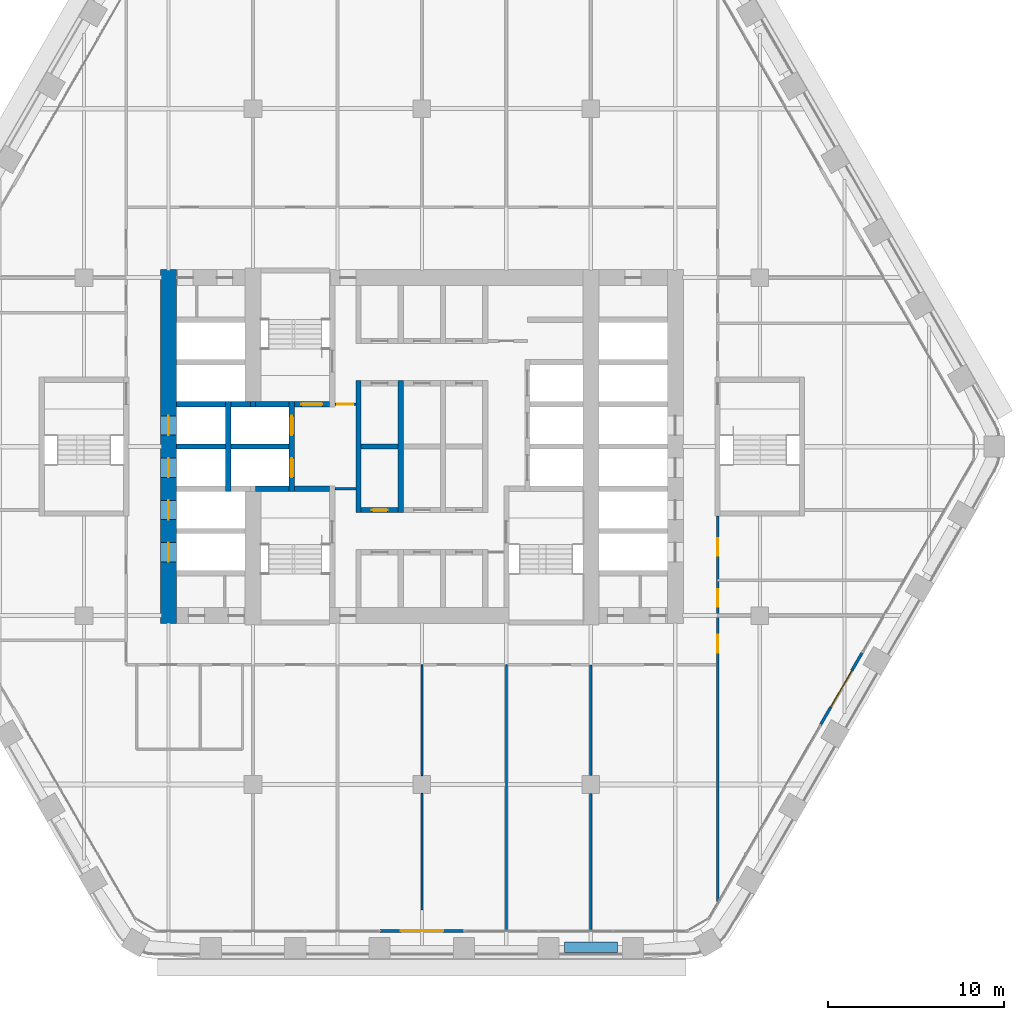
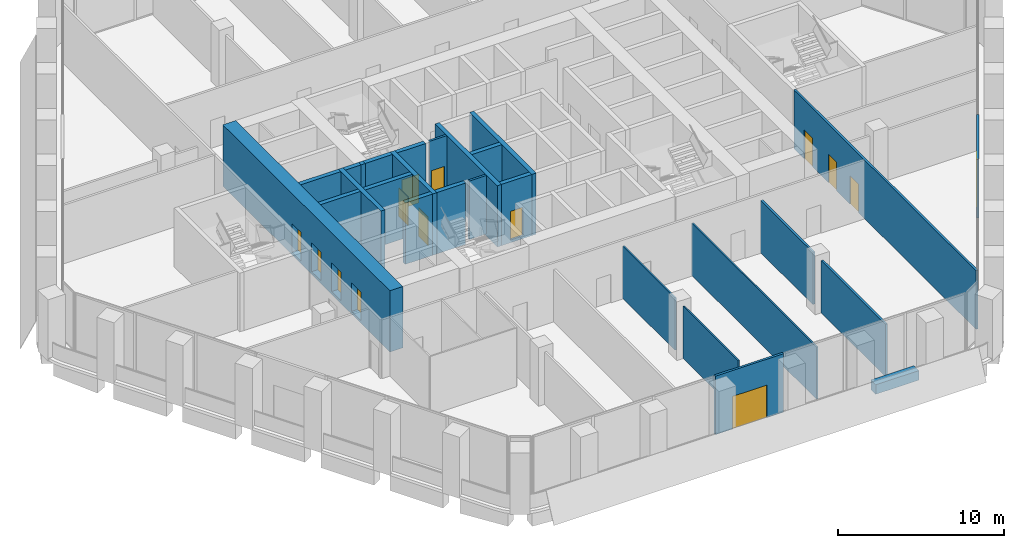
# One storey, part 13 of 22: 27 walls, 14 doors, 14 openings.
"""IFC4 building model written with IfcOpenShell, lengths in metres."""

from ifc_helpers import new_model, si_unit, direction, frame, frame_2d, origin, place, context, subcontext, project, spatial, rectangle, extrude, material, layer, layer_set, type_object, element, fill, save


model = new_model("IFC4")

# Units and contexts
model_context = context("Model", 3, precision=1e-05, world=origin(), true_north=direction((0.0, 1.0)))
body_context = subcontext(model_context, "Body", "Model", "MODEL_VIEW")
ifc_project = project(units=[si_unit("LENGTHUNIT", "METRE"), si_unit("AREAUNIT", "SQUARE_METRE"), si_unit("VOLUMEUNIT", "CUBIC_METRE"), si_unit("PLANEANGLEUNIT", "RADIAN"), si_unit("MASSUNIT", "GRAM", prefix="KILO")], contexts=[model_context])

# Site, building, storey
site_placement = place(None, origin())
site = spatial("IfcSite", under=ifc_project, at=site_placement, CompositionType="ELEMENT")
building_placement = place(site_placement, origin())
building = spatial("IfcBuilding", under=site, at=building_placement, Name="Kolab Exchange Tower", CompositionType="ELEMENT")
storey_placement = place(building_placement, frame((0.0, 0.0, 113.89990234375)))
storey = spatial("IfcBuildingStorey", under=building, at=storey_placement, Name="L22", CompositionType="ELEMENT", Elevation=113.89990234375)

# Wall, openings, doors
ifc_material_1 = material(Name="Concrete C70/85", Category="concrete")
ifc_layer_1 = layer(ifc_material_1, 0.89990234375)
ifc_layer_set_1 = layer_set([ifc_layer_1], Name="Concrete C70/85")
wall_type_1 = type_object("IfcWallType", Name="CORE WALL 900 C70/85", PredefinedType="SHEAR", material=ifc_layer_set_1)
wall_1_placement = place(storey_placement, frame((-14.39990234375, -10.050048828125, -0.199951171875), z_axis=(0.0, 0.0, 1.0), x_axis=(0.0, 1.0, 0.0)))
wall_1 = element("IfcWall", 1, at=wall_1_placement, inside=storey, type_object=wall_type_1, Name="wall/L22/core/057", PredefinedType="SHEAR", context=body_context, shape_type="SweptSolid", body=[
    extrude(rectangle(XDim=20.10009765625, YDim=0.89990234375, at=frame_2d((10.050048828125, 0.0))), origin(), (0.0, 0.0, 1.0), 4.5),
])
opening_1_placement = place(wall_1_placement, frame((3.5, 0.0, 0.199951171875)))
opening_1 = element("IfcOpeningElement", 2, at=opening_1_placement, cuts=wall_1, Name="Opening LD1-073", PredefinedType="OPENING", context=body_context, shape_type="SweptSolid", body=[
    extrude(rectangle(XDim=1.10009765625, YDim=2.10009765625, at=frame_2d((0.550048828125, 1.050048828125))), frame((0.0, 0.4599609375, 0.0), z_axis=(0.0, -1.0, 0.0), x_axis=(1.0, 0.0, 0.0)), (0.0, 0.0, 1.0), 0.919921875),
])
opening_2_placement = place(wall_1_placement, frame((5.89990234375, 0.0, 0.199951171875)))
opening_2 = element("IfcOpeningElement", 3, at=opening_2_placement, cuts=wall_1, Name="Opening LD1-074", PredefinedType="OPENING", context=body_context, shape_type="SweptSolid", body=[
    extrude(rectangle(XDim=1.10009765625, YDim=2.10009765625, at=frame_2d((0.550048828125, 1.050048828125))), frame((0.0, 0.4599609375, 0.0), z_axis=(0.0, -1.0, 0.0), x_axis=(1.0, 0.0, 0.0)), (0.0, 0.0, 1.0), 0.919921875),
])
opening_3_placement = place(wall_1_placement, frame((8.300048828125, 0.0, 0.199951171875)))
opening_3 = element("IfcOpeningElement", 4, at=opening_3_placement, cuts=wall_1, Name="Opening LD1-075", PredefinedType="OPENING", context=body_context, shape_type="SweptSolid", body=[
    extrude(rectangle(XDim=1.10009765625, YDim=2.10009765625, at=frame_2d((0.550048828125, 1.050048828125))), frame((0.0, 0.4599609375, 0.0), z_axis=(0.0, -1.0, 0.0), x_axis=(1.0, 0.0, 0.0)), (0.0, 0.0, 1.0), 0.919921875),
])
opening_4_placement = place(wall_1_placement, frame((10.699951171875, 0.0, 0.199951171875)))
opening_4 = element("IfcOpeningElement", 5, at=opening_4_placement, cuts=wall_1, Name="Opening LD1-076", PredefinedType="OPENING", context=body_context, shape_type="SweptSolid", body=[
    extrude(rectangle(XDim=1.10009765625, YDim=2.10009765625, at=frame_2d((0.550048828125, 1.050048828125))), frame((0.0, 0.4599609375, 0.0), z_axis=(0.0, -1.0, 0.0), x_axis=(1.0, 0.0, 0.0)), (0.0, 0.0, 1.0), 0.919921875),
])
ifc_material_2 = material(Name="Stainless steel 316", Category="steel")
door_type_1 = type_object("IfcDoorType", Name="LANDING DOOR 1100 PASSENGER", OperationType="DOUBLE_DOOR_SLIDING", PredefinedType="DOOR", material=ifc_material_2)
door_1_placement = place(opening_1_placement, origin())
door_1 = element("IfcDoor", 6, at=door_1_placement, inside=storey, type_object=door_type_1, Name="Landing door LR5", OperationType="DOUBLE_DOOR_SLIDING", OverallHeight=2.10009765625, OverallWidth=1.10009765625, PredefinedType="DOOR", context=body_context, shape_type="SweptSolid", body=[
    extrude(rectangle(XDim=1.10009765625, YDim=2.10009765625, at=frame_2d((0.550048828125, 1.050048828125))), frame((0.0, 0.02490234375, 0.0), z_axis=(0.0, -1.0, 0.0), x_axis=(1.0, 0.0, 0.0)), (0.0, 0.0, 1.0), 0.050048828125),
])
fill(opening_1, door_1)
door_2_placement = place(opening_2_placement, origin())
door_2 = element("IfcDoor", 7, at=door_2_placement, inside=storey, type_object=door_type_1, Name="Landing door LR6", OperationType="DOUBLE_DOOR_SLIDING", OverallHeight=2.10009765625, OverallWidth=1.10009765625, PredefinedType="DOOR", context=body_context, shape_type="SweptSolid", body=[
    extrude(rectangle(XDim=1.10009765625, YDim=2.10009765625, at=frame_2d((0.550048828125, 1.050048828125))), frame((0.0, 0.02490234375, 0.0), z_axis=(0.0, -1.0, 0.0), x_axis=(1.0, 0.0, 0.0)), (0.0, 0.0, 1.0), 0.050048828125),
])
fill(opening_2, door_2)
door_3_placement = place(opening_3_placement, origin())
door_3 = element("IfcDoor", 8, at=door_3_placement, inside=storey, type_object=door_type_1, Name="Landing door LR7", OperationType="DOUBLE_DOOR_SLIDING", OverallHeight=2.10009765625, OverallWidth=1.10009765625, PredefinedType="DOOR", context=body_context, shape_type="SweptSolid", body=[
    extrude(rectangle(XDim=1.10009765625, YDim=2.10009765625, at=frame_2d((0.550048828125, 1.050048828125))), frame((0.0, 0.02490234375, 0.0), z_axis=(0.0, -1.0, 0.0), x_axis=(1.0, 0.0, 0.0)), (0.0, 0.0, 1.0), 0.050048828125),
])
fill(opening_3, door_3)
door_4_placement = place(opening_4_placement, origin())
door_4 = element("IfcDoor", 9, at=door_4_placement, inside=storey, type_object=door_type_1, Name="Landing door LR8", OperationType="DOUBLE_DOOR_SLIDING", OverallHeight=2.10009765625, OverallWidth=1.10009765625, PredefinedType="DOOR", context=body_context, shape_type="SweptSolid", body=[
    extrude(rectangle(XDim=1.10009765625, YDim=2.10009765625, at=frame_2d((0.550048828125, 1.050048828125))), frame((0.0, 0.02490234375, 0.0), z_axis=(0.0, -1.0, 0.0), x_axis=(1.0, 0.0, 0.0)), (0.0, 0.0, 1.0), 0.050048828125),
])
fill(opening_4, door_4)

# Wall, opening, door
ifc_material_3 = material(Name="Aluminium EN AW-6063 T6", Category="aluminium")
ifc_layer_2 = layer(ifc_material_3, 0.159912109375)
ifc_layer_set_2 = layer_set([ifc_layer_2], Name="Aluminium EN AW-6063 T6")
wall_type_2 = type_object("IfcWallType", Name="DOOR SURROUND WALL 160 ALUMINIUM FRAMED", PredefinedType="PARTITIONING", material=ifc_layer_set_2)
wall_2_placement = place(storey_placement, frame((25.0166015625, -11.706787109375, 0.0), z_axis=(0.0, 0.0, 1.0), x_axis=(-0.499978080042, -0.866038058908, 0.0)))
wall_2 = element("IfcWall", 10, at=wall_2_placement, inside=storey, type_object=wall_type_2, Name="Door surround wall", PredefinedType="PARTITIONING", context=body_context, shape_type="SweptSolid", body=[
    extrude(rectangle(XDim=4.739990234375, YDim=0.159912109375, at=frame_2d((2.3701171875, 0.0))), origin(), (0.0, 0.0, 1.0), 4.300048828125),
])
opening_5_placement = place(wall_2_placement, frame((1.169921875, 0.0, 0.0)))
opening_5 = element("IfcOpeningElement", 11, at=opening_5_placement, cuts=wall_2, Name="Opening GD1-036", PredefinedType="OPENING", context=body_context, shape_type="SweptSolid", body=[
    extrude(rectangle(XDim=2.39990234375, YDim=2.39990234375, at=frame_2d((1.199951171875, 1.199951171875))), frame((0.0, 0.08984375, 0.0), z_axis=(0.0, -1.0, 0.0), x_axis=(1.0, 0.0, 0.0)), (0.0, 0.0, 1.0), 0.179931640625),
])
door_type_2 = type_object("IfcDoorType", Name="LOGGIA SLIDING GLASS DOOR 2400 X 2400", OperationType="DOUBLE_DOOR_SINGLE_SWING", PredefinedType="DOOR", material=ifc_material_3)
door_5_placement = place(opening_5_placement, origin())
door_5 = element("IfcDoor", 12, at=door_5_placement, inside=storey, type_object=door_type_2, Name="Loggia door", OperationType="DOUBLE_DOOR_SLIDING", OverallHeight=2.39990234375, OverallWidth=2.39990234375, PredefinedType="DOOR", context=body_context, shape_type="SweptSolid", body=[
    extrude(rectangle(XDim=2.39990234375, YDim=2.39990234375, at=frame_2d((1.199951171875, 1.199951171875))), frame((0.0, 0.02490234375, 0.0), z_axis=(0.0, -1.0, 0.0), x_axis=(1.0, 0.0, 0.0)), (0.0, 0.0, 1.0), 0.050048828125),
])
fill(opening_5, door_5)

wall_3_placement = place(storey_placement, frame((2.3701171875, -27.5185546875, 0.0), z_axis=(0.0, 0.0, 1.0), x_axis=(-1.0, 0.0, 0.0)))
wall_3 = element("IfcWall", 13, at=wall_3_placement, inside=storey, type_object=wall_type_2, Name="Door surround wall", PredefinedType="PARTITIONING", context=body_context, shape_type="SweptSolid", body=[
    extrude(rectangle(XDim=4.740234375, YDim=0.159912109375, at=frame_2d((2.3701171875, 0.0))), origin(), (0.0, 0.0, 1.0), 4.300048828125),
])
opening_6_placement = place(wall_3_placement, frame((1.169921875, 0.0, 0.0)))
opening_6 = element("IfcOpeningElement", 14, at=opening_6_placement, cuts=wall_3, Name="Opening GD1-037", PredefinedType="OPENING", context=body_context, shape_type="SweptSolid", body=[
    extrude(rectangle(XDim=2.39990234375, YDim=2.39990234375, at=frame_2d((1.199951171875, 1.199951171875))), frame((0.0, 0.08984375, 0.0), z_axis=(0.0, -1.0, 0.0), x_axis=(1.0, 0.0, 0.0)), (0.0, 0.0, 1.0), 0.179931640625),
])
door_6_placement = place(opening_6_placement, origin())
door_6 = element("IfcDoor", 15, at=door_6_placement, inside=storey, type_object=door_type_2, Name="Loggia door", OperationType="DOUBLE_DOOR_SLIDING", OverallHeight=2.39990234375, OverallWidth=2.39990234375, PredefinedType="DOOR", context=body_context, shape_type="SweptSolid", body=[
    extrude(rectangle(XDim=2.39990234375, YDim=2.39990234375, at=frame_2d((1.199951171875, 1.199951171875))), frame((0.0, 0.02490234375, 0.0), z_axis=(0.0, -1.0, 0.0), x_axis=(1.0, 0.0, 0.0)), (0.0, 0.0, 1.0), 0.050048828125),
])
fill(opening_6, door_6)

ifc_material_4 = material(Name="Concrete C50/60", Category="concrete")
ifc_layer_3 = layer(ifc_material_4, 0.300048828125)
ifc_layer_set_3 = layer_set([ifc_layer_3], Name="Concrete C50/60")
wall_type_3 = type_object("IfcWallType", Name="LIFT SHAFT WALL 300 C50/60", PredefinedType="STANDARD", material=ifc_layer_set_3)
wall_4_placement = place(storey_placement, frame((-3.449951171875, -3.60009765625, -0.199951171875), z_axis=(0.0, 0.0, 1.0), x_axis=(1.0, 0.0, 0.0)))
wall_4 = element("IfcWall", 16, at=wall_4_placement, inside=storey, type_object=wall_type_3, Name="wall/L22/core/014", PredefinedType="STANDARD", context=body_context, shape_type="SweptSolid", body=[
    extrude(rectangle(XDim=2.099853515625, YDim=0.300048828125, at=frame_2d((1.0498046875, 0.0))), origin(), (0.0, 0.0, 1.0), 4.5),
])
opening_7_placement = place(wall_4_placement, frame((0.60009765625, 0.0, 0.199951171875)))
opening_7 = element("IfcOpeningElement", 17, at=opening_7_placement, cuts=wall_4, Name="Opening D6-199", PredefinedType="OPENING", context=body_context, shape_type="SweptSolid", body=[
    extrude(rectangle(XDim=0.89990234375, YDim=2.10009765625, at=frame_2d((0.449951171875, 1.050048828125))), frame((0.0, 0.16015625, 0.0), z_axis=(0.0, -1.0, 0.0), x_axis=(1.0, 0.0, 0.0)), (0.0, 0.0, 1.0), 0.320068359375),
])
ifc_material_5 = material(Name="Steel S235", Category="steel")
door_type_3 = type_object("IfcDoorType", Name="CORE DOOR 900 EI 120", OperationType="SINGLE_SWING_LEFT", PredefinedType="DOOR", material=ifc_material_5)
door_7_placement = place(opening_7_placement, origin())
door_7 = element("IfcDoor", 18, at=door_7_placement, inside=storey, type_object=door_type_3, Name="Service room door", OperationType="SINGLE_SWING_LEFT", OverallHeight=2.10009765625, OverallWidth=0.89990234375, PredefinedType="DOOR", context=body_context, shape_type="SweptSolid", body=[
    extrude(rectangle(XDim=0.89990234375, YDim=2.10009765625, at=frame_2d((0.449951171875, 1.050048828125))), frame((0.0, 0.02490234375, 0.0), z_axis=(0.0, -1.0, 0.0), x_axis=(1.0, 0.0, 0.0)), (0.0, 0.0, 1.0), 0.050048828125),
])
fill(opening_7, door_7)

# Walls
wall_5_placement = place(storey_placement, frame((-13.949951171875, 0.0, -0.199951171875), z_axis=(0.0, 0.0, 1.0), x_axis=(1.0, 0.0, 0.0)))
element("IfcWall", 19, at=wall_5_placement, inside=storey, type_object=wall_type_3, Name="wall/L22/core/024", PredefinedType="STANDARD", context=body_context, shape_type="SweptSolid", body=[
    extrude(rectangle(XDim=2.800048828125, YDim=0.300048828125, at=frame_2d((1.39990234375, 0.0))), origin(), (0.0, 0.0, 1.0), 4.5),
])
wall_6_placement = place(storey_placement, frame((-10.85009765625, 0.0, -0.199951171875), z_axis=(0.0, 0.0, 1.0), x_axis=(1.0, 0.0, 0.0)))
element("IfcWall", 20, at=wall_6_placement, inside=storey, type_object=wall_type_3, Name="wall/L22/core/025", PredefinedType="STANDARD", context=body_context, shape_type="SweptSolid", body=[
    extrude(rectangle(XDim=3.300048828125, YDim=0.300048828125, at=frame_2d((1.64990234375, 0.0))), origin(), (0.0, 0.0, 1.0), 4.5),
])
wall_7_placement = place(storey_placement, frame((-3.449951171875, 0.0, -0.199951171875), z_axis=(0.0, 0.0, 1.0), x_axis=(1.0, 0.0, 0.0)))
element("IfcWall", 21, at=wall_7_placement, inside=storey, type_object=wall_type_3, Name="wall/L22/core/026", PredefinedType="STANDARD", context=body_context, shape_type="SweptSolid", body=[
    extrude(rectangle(XDim=2.099853515625, YDim=0.300048828125, at=frame_2d((1.0498046875, 0.0))), origin(), (0.0, 0.0, 1.0), 4.5),
])
wall_8_placement = place(storey_placement, frame((-13.949951171875, 2.39990234375, -0.199951171875), z_axis=(0.0, 0.0, 1.0), x_axis=(1.0, 0.0, 0.0)))
element("IfcWall", 22, at=wall_8_placement, inside=storey, type_object=wall_type_3, Name="wall/L22/core/031", PredefinedType="STANDARD", context=body_context, shape_type="SweptSolid", body=[
    extrude(rectangle(XDim=2.800048828125, YDim=0.300048828125, at=frame_2d((1.39990234375, 0.0))), origin(), (0.0, 0.0, 1.0), 4.5),
])
wall_9_placement = place(storey_placement, frame((-10.85009765625, 2.39990234375, -0.199951171875), z_axis=(0.0, 0.0, 1.0), x_axis=(1.0, 0.0, 0.0)))
element("IfcWall", 23, at=wall_9_placement, inside=storey, type_object=wall_type_3, Name="wall/L22/core/032", PredefinedType="STANDARD", context=body_context, shape_type="SweptSolid", body=[
    extrude(rectangle(XDim=1.10009765625, YDim=0.300048828125, at=frame_2d((0.550048828125, 0.0))), origin(), (0.0, 0.0, 1.0), 4.5),
])
wall_10_placement = place(storey_placement, frame((-11.0, -2.550048828125, -0.199951171875), z_axis=(0.0, 0.0, 1.0), x_axis=(0.0, 1.0, 0.0)))
element("IfcWall", 24, at=wall_10_placement, inside=storey, type_object=wall_type_3, Name="wall/L22/core/058", PredefinedType="STANDARD", context=body_context, shape_type="SweptSolid", body=[
    extrude(rectangle(XDim=5.10009765625, YDim=0.300048828125, at=frame_2d((2.550048828125, 0.0))), origin(), (0.0, 0.0, 1.0), 4.5),
])

# Wall, openings, doors
wall_11_placement = place(storey_placement, frame((-7.39990234375, -2.550048828125, -0.199951171875), z_axis=(0.0, 0.0, 1.0), x_axis=(0.0, 1.0, 0.0)))
wall_11 = element("IfcWall", 25, at=wall_11_placement, inside=storey, type_object=wall_type_3, Name="wall/L22/core/063", PredefinedType="STANDARD", context=body_context, shape_type="SweptSolid", body=[
    extrude(rectangle(XDim=5.10009765625, YDim=0.300048828125, at=frame_2d((2.550048828125, 0.0))), origin(), (0.0, 0.0, 1.0), 4.5),
])
opening_8_placement = place(wall_11_placement, frame((0.800048828125, 0.0, 0.199951171875)))
opening_8 = element("IfcOpeningElement", 26, at=opening_8_placement, cuts=wall_11, Name="Opening LD2-017", PredefinedType="OPENING", context=body_context, shape_type="SweptSolid", body=[
    extrude(rectangle(XDim=1.10009765625, YDim=2.10009765625, at=frame_2d((0.550048828125, 1.050048828125))), frame((0.0, 0.16015625, 0.0), z_axis=(0.0, -1.0, 0.0), x_axis=(1.0, 0.0, 0.0)), (0.0, 0.0, 1.0), 0.320068359375),
])
opening_9_placement = place(wall_11_placement, frame((3.199951171875, 0.0, 0.199951171875)))
opening_9 = element("IfcOpeningElement", 27, at=opening_9_placement, cuts=wall_11, Name="Opening LD2-018", PredefinedType="OPENING", context=body_context, shape_type="SweptSolid", body=[
    extrude(rectangle(XDim=1.10009765625, YDim=2.10009765625, at=frame_2d((0.550048828125, 1.050048828125))), frame((0.0, 0.16015625, 0.0), z_axis=(0.0, -1.0, 0.0), x_axis=(1.0, 0.0, 0.0)), (0.0, 0.0, 1.0), 0.320068359375),
])
door_type_4 = type_object("IfcDoorType", Name="LANDING DOOR 1100 FIREFIGHTING", OperationType="DOUBLE_DOOR_SLIDING", PredefinedType="DOOR", material=ifc_material_2)
door_8_placement = place(opening_8_placement, origin())
door_8 = element("IfcDoor", 28, at=door_8_placement, inside=storey, type_object=door_type_4, Name="Landing door FF1", OperationType="DOUBLE_DOOR_SLIDING", OverallHeight=2.10009765625, OverallWidth=1.10009765625, PredefinedType="DOOR", context=body_context, shape_type="SweptSolid", body=[
    extrude(rectangle(XDim=1.10009765625, YDim=2.10009765625, at=frame_2d((0.550048828125, 1.050048828125))), frame((0.0, 0.02490234375, 0.0), z_axis=(0.0, -1.0, 0.0), x_axis=(1.0, 0.0, 0.0)), (0.0, 0.0, 1.0), 0.050048828125),
])
fill(opening_8, door_8)
door_9_placement = place(opening_9_placement, origin())
door_9 = element("IfcDoor", 29, at=door_9_placement, inside=storey, type_object=door_type_4, Name="Landing door FF2", OperationType="DOUBLE_DOOR_SLIDING", OverallHeight=2.10009765625, OverallWidth=1.10009765625, PredefinedType="DOOR", context=body_context, shape_type="SweptSolid", body=[
    extrude(rectangle(XDim=1.10009765625, YDim=2.10009765625, at=frame_2d((0.550048828125, 1.050048828125))), frame((0.0, 0.02490234375, 0.0), z_axis=(0.0, -1.0, 0.0), x_axis=(1.0, 0.0, 0.0)), (0.0, 0.0, 1.0), 0.050048828125),
])
fill(opening_9, door_9)

# Walls
for number, where, z_axis, x_axis, name in (
    (30, (-3.60009765625, -3.75, -0.199951171875), (0.0, 0.0, 1.0), (0.0, 1.0, 0.0), "wall/L22/core/067"),
    (31, (-1.199951171875, -3.75, -0.199951171875), (0.0, 0.0, 1.0), (0.0, 1.0, 0.0), "wall/L22/core/070"),
):
    element("IfcWall", number, at=place(storey_placement, frame(where, z_axis=z_axis, x_axis=x_axis)), inside=storey, type_object=wall_type_3, Name=name, PredefinedType="STANDARD", context=body_context, shape_type="SweptSolid", body=[
        extrude(rectangle(XDim=7.5, YDim=0.300048828125, at=frame_2d((3.75, 0.0))), origin(), (0.0, 0.0, 1.0), 4.5),
    ])
ifc_material_6 = material(Name="Gypsum board", Category="gypsum")
ifc_layer_4 = layer(ifc_material_6, 0.10009765625)
ifc_layer_set_4 = layer_set([ifc_layer_4], Name="Gypsum board")
wall_type_4 = type_object("IfcWallType", Name="PARTITION 100", PredefinedType="PARTITIONING", material=ifc_layer_set_4)
wall_12_placement = place(storey_placement, frame((4.800048828125, -27.428466796875, 0.0), z_axis=(0.0, 0.0, 1.0), x_axis=(0.0, 1.0, 0.0)))
element("IfcWall", 32, at=wall_12_placement, inside=storey, type_object=wall_type_4, Name="Partition 007", PredefinedType="PARTITIONING", context=body_context, shape_type="SweptSolid", body=[
    extrude(rectangle(XDim=15.028564453125, YDim=0.10009765625, at=frame_2d((7.51416015625, 0.0))), origin(), (0.0, 0.0, 1.0), 3.843017578125),
])
wall_13_placement = place(storey_placement, frame((0.0, -26.318603515625, 0.0), z_axis=(0.0, 0.0, 1.0), x_axis=(0.0, 1.0, 0.0)))
element("IfcWall", 33, at=wall_13_placement, inside=storey, type_object=wall_type_4, Name="Partition 009", PredefinedType="PARTITIONING", context=body_context, shape_type="SweptSolid", body=[
    extrude(rectangle(XDim=6.61865234375, YDim=0.10009765625, at=frame_2d((3.309326171875, 0.0))), origin(), (0.0, 0.0, 1.0), 3.843017578125),
])
wall_14_placement = place(storey_placement, frame((0.0, -18.699951171875, 0.0), z_axis=(0.0, 0.0, 1.0), x_axis=(0.0, 1.0, 0.0)))
element("IfcWall", 34, at=wall_14_placement, inside=storey, type_object=wall_type_4, Name="Partition 010", PredefinedType="PARTITIONING", context=body_context, shape_type="SweptSolid", body=[
    extrude(rectangle(XDim=6.300048828125, YDim=0.10009765625, at=frame_2d((3.14990234375, 0.0))), origin(), (0.0, 0.0, 1.0), 3.843017578125),
])

# Wall, openings, doors
ifc_layer_5 = layer(ifc_material_6, 0.14990234375)
ifc_layer_set_5 = layer_set([ifc_layer_5], Name="Gypsum board")
wall_type_5 = type_object("IfcWallType", Name="PARTITION 150 FIRE-RATED", PredefinedType="PARTITIONING", material=ifc_layer_set_5)
wall_15_placement = place(storey_placement, frame((16.800048828125, -25.8583984375, 0.0), z_axis=(0.0, 0.0, 1.0), x_axis=(0.0, 1.0, 0.0)))
wall_15 = element("IfcWall", 35, at=wall_15_placement, inside=storey, type_object=wall_type_5, Name="Partition 000", PredefinedType="PARTITIONING", context=body_context, shape_type="SweptSolid", body=[
    extrude(rectangle(XDim=21.908447265625, YDim=0.14990234375, at=frame_2d((10.9541015625, 0.0))), origin(), (0.0, 0.0, 1.0), 4.300048828125),
])
opening_10_placement = place(wall_15_placement, frame((14.158447265625, 0.0, 0.0)))
opening_10 = element("IfcOpeningElement", 36, at=opening_10_placement, cuts=wall_15, Name="Opening D1-313", PredefinedType="OPENING", context=body_context, shape_type="SweptSolid", body=[
    extrude(rectangle(XDim=1.0, YDim=2.10009765625, at=frame_2d((0.5, 1.050048828125))), frame((0.0, 0.0849609375, 0.0), z_axis=(0.0, -1.0, 0.0), x_axis=(1.0, 0.0, 0.0)), (0.0, 0.0, 1.0), 0.169921875),
])
opening_11_placement = place(wall_15_placement, frame((16.758544921875, 0.0, 0.0)))
opening_11 = element("IfcOpeningElement", 37, at=opening_11_placement, cuts=wall_15, Name="Opening D1-314", PredefinedType="OPENING", context=body_context, shape_type="SweptSolid", body=[
    extrude(rectangle(XDim=1.0, YDim=2.10009765625, at=frame_2d((0.5, 1.050048828125))), frame((0.0, 0.0849609375, 0.0), z_axis=(0.0, -1.0, 0.0), x_axis=(1.0, 0.0, 0.0)), (0.0, 0.0, 1.0), 0.169921875),
])
opening_12_placement = place(wall_15_placement, frame((19.658447265625, 0.0, 0.0)))
opening_12 = element("IfcOpeningElement", 38, at=opening_12_placement, cuts=wall_15, Name="Opening D1-315", PredefinedType="OPENING", context=body_context, shape_type="SweptSolid", body=[
    extrude(rectangle(XDim=1.0, YDim=2.10009765625, at=frame_2d((0.5, 1.050048828125))), frame((0.0, 0.0849609375, 0.0), z_axis=(0.0, -1.0, 0.0), x_axis=(1.0, 0.0, 0.0)), (0.0, 0.0, 1.0), 0.169921875),
])
door_type_5 = type_object("IfcDoorType", Name="FLUSH DOOR 1000 FD60", OperationType="SINGLE_SWING_LEFT", PredefinedType="DOOR", material=ifc_material_5)
door_10_placement = place(opening_10_placement, frame((1.0, 0.0, 0.0), z_axis=(0.0, 0.0, 1.0), x_axis=(-1.0, 0.0, 0.0)))
door_10 = element("IfcDoor", 39, at=door_10_placement, inside=storey, type_object=door_type_5, Name="Door L22-060", OperationType="SINGLE_SWING_RIGHT", OverallHeight=2.10009765625, OverallWidth=1.0, PredefinedType="DOOR", context=body_context, shape_type="SweptSolid", body=[
    extrude(rectangle(XDim=1.0, YDim=2.10009765625, at=frame_2d((0.5, 1.050048828125))), frame((0.0, 0.02490234375, 0.0), z_axis=(0.0, -1.0, 0.0), x_axis=(1.0, 0.0, 0.0)), (0.0, 0.0, 1.0), 0.050048828125),
])
fill(opening_10, door_10)
door_11_placement = place(opening_11_placement, frame((1.0, 0.0, 0.0), z_axis=(0.0, 0.0, 1.0), x_axis=(-1.0, 0.0, 0.0)))
door_11 = element("IfcDoor", 40, at=door_11_placement, inside=storey, type_object=door_type_5, Name="Door L22-061", OperationType="SINGLE_SWING_RIGHT", OverallHeight=2.10009765625, OverallWidth=1.0, PredefinedType="DOOR", context=body_context, shape_type="SweptSolid", body=[
    extrude(rectangle(XDim=1.0, YDim=2.10009765625, at=frame_2d((0.5, 1.050048828125))), frame((0.0, 0.02490234375, 0.0), z_axis=(0.0, -1.0, 0.0), x_axis=(1.0, 0.0, 0.0)), (0.0, 0.0, 1.0), 0.050048828125),
])
fill(opening_11, door_11)
door_12_placement = place(opening_12_placement, frame((1.0, 0.0, 0.0), z_axis=(0.0, 0.0, 1.0), x_axis=(-1.0, 0.0, 0.0)))
door_12 = element("IfcDoor", 41, at=door_12_placement, inside=storey, type_object=door_type_5, Name="Door L22-062", OperationType="SINGLE_SWING_RIGHT", OverallHeight=2.10009765625, OverallWidth=1.0, PredefinedType="DOOR", context=body_context, shape_type="SweptSolid", body=[
    extrude(rectangle(XDim=1.0, YDim=2.10009765625, at=frame_2d((0.5, 1.050048828125))), frame((0.0, 0.02490234375, 0.0), z_axis=(0.0, -1.0, 0.0), x_axis=(1.0, 0.0, 0.0)), (0.0, 0.0, 1.0), 0.050048828125),
])
fill(opening_12, door_12)

# Walls
wall_16_placement = place(storey_placement, frame((9.60009765625, -27.428466796875, 0.0), z_axis=(0.0, 0.0, 1.0), x_axis=(0.0, 1.0, 0.0)))
element("IfcWall", 42, at=wall_16_placement, inside=storey, type_object=wall_type_5, Name="Partition 003", PredefinedType="PARTITIONING", context=body_context, shape_type="SweptSolid", body=[
    extrude(rectangle(XDim=7.728515625, YDim=0.14990234375, at=frame_2d((3.8642578125, 0.0))), origin(), (0.0, 0.0, 1.0), 3.843017578125),
])
wall_17_placement = place(storey_placement, frame((9.60009765625, -18.699951171875, 0.0), z_axis=(0.0, 0.0, 1.0), x_axis=(0.0, 1.0, 0.0)))
element("IfcWall", 43, at=wall_17_placement, inside=storey, type_object=wall_type_5, Name="Partition 004", PredefinedType="PARTITIONING", context=body_context, shape_type="SweptSolid", body=[
    extrude(rectangle(XDim=6.300048828125, YDim=0.14990234375, at=frame_2d((3.14990234375, 0.0))), origin(), (0.0, 0.0, 1.0), 3.843017578125),
])

# Wall, opening, door
wall_18_placement = place(storey_placement, frame((-4.949951171875, 2.39990234375, 0.0), z_axis=(0.0, 0.0, 1.0), x_axis=(1.0, 0.0, 0.0)))
wall_18 = element("IfcWall", 44, at=wall_18_placement, inside=storey, type_object=wall_type_5, Name="Fire partition", PredefinedType="PARTITIONING", context=body_context, shape_type="SweptSolid", body=[
    extrude(rectangle(XDim=1.199951171875, YDim=0.14990234375, at=frame_2d((0.60009765625, 0.0))), origin(), (0.0, 0.0, 1.0), 4.300048828125),
])
opening_13_placement = place(wall_18_placement, frame((0.14990234375, 0.0, 0.0)))
opening_13 = element("IfcOpeningElement", 45, at=opening_13_placement, cuts=wall_18, Name="Opening D6-204", PredefinedType="OPENING", context=body_context, shape_type="SweptSolid", body=[
    extrude(rectangle(XDim=0.89990234375, YDim=2.10009765625, at=frame_2d((0.449951171875, 1.050048828125))), frame((0.0, 0.0849609375, 0.0), z_axis=(0.0, -1.0, 0.0), x_axis=(1.0, 0.0, 0.0)), (0.0, 0.0, 1.0), 0.169921875),
])
door_13_placement = place(opening_13_placement, frame((0.89990234375, 0.0, 0.0), z_axis=(0.0, 0.0, 1.0), x_axis=(-1.0, 0.0, 0.0)))
door_13 = element("IfcDoor", 46, at=door_13_placement, inside=storey, type_object=door_type_3, Name="Firefighting lobby door", OperationType="SINGLE_SWING_RIGHT", OverallHeight=2.10009765625, OverallWidth=0.89990234375, PredefinedType="DOOR", context=body_context, shape_type="SweptSolid", body=[
    extrude(rectangle(XDim=0.89990234375, YDim=2.10009765625, at=frame_2d((0.449951171875, 1.050048828125))), frame((0.0, 0.02490234375, 0.0), z_axis=(0.0, -1.0, 0.0), x_axis=(1.0, 0.0, 0.0)), (0.0, 0.0, 1.0), 0.050048828125),
])
fill(opening_13, door_13)

# Walls
wall_19_placement = place(storey_placement, frame((-4.949951171875, -2.39990234375, 0.0), z_axis=(0.0, 0.0, 1.0), x_axis=(1.0, 0.0, 0.0)))
element("IfcWall", 47, at=wall_19_placement, inside=storey, type_object=wall_type_5, Name="Fire partition", PredefinedType="PARTITIONING", context=body_context, shape_type="SweptSolid", body=[
    extrude(rectangle(XDim=1.199951171875, YDim=0.14990234375, at=frame_2d((0.60009765625, 0.0))), origin(), (0.0, 0.0, 1.0), 4.300048828125),
])
ifc_material_7 = material(Name="Granite facing", Category="masonry")
ifc_layer_6 = layer(ifc_material_7, 0.0400390625)
ifc_material_8 = material(Name="Concrete C40/50 precast", Category="concrete")
ifc_layer_7 = layer(ifc_material_8, 0.56005859375)
ifc_layer_set_6 = layer_set([ifc_layer_6, ifc_layer_7], Name="Concrete C40/50 precast")
wall_type_6 = type_object("IfcWallType", Name="PLANTER BOX 600 X 700 SOIL DEPTH 550", PredefinedType="USERDEFINED", material=ifc_layer_set_6)
wall_20_placement = place(storey_placement, frame((11.10009765625, -28.448486328125, 0.0), z_axis=(0.0, 0.0, 1.0), x_axis=(-1.0, 0.0, 0.0)))
element("IfcWall", 48, at=wall_20_placement, inside=storey, type_object=wall_type_6, Name="Planter", ObjectType="PLANTER", PredefinedType="USERDEFINED", context=body_context, shape_type="SweptSolid", body=[
    extrude(rectangle(XDim=3.0, YDim=0.60009765625, at=frame_2d((1.5, 0.0))), origin(), (0.0, 0.0, 1.0), 0.7001953125),
])
ifc_layer_8 = layer(ifc_material_4, 0.300048828125)
ifc_layer_set_7 = layer_set([ifc_layer_8], Name="Concrete C50/60")
wall_type_7 = type_object("IfcWallType", Name="STAIR ENCLOSURE WALL 300 C50/60", PredefinedType="STANDARD", material=ifc_layer_set_7)
wall_21_placement = place(storey_placement, frame((-9.449951171875, -2.39990234375, -0.199951171875), z_axis=(0.0, 0.0, 1.0), x_axis=(1.0, 0.0, 0.0)))
element("IfcWall", 49, at=wall_21_placement, inside=storey, type_object=wall_type_7, Name="wall/L22/core/019", PredefinedType="STANDARD", context=body_context, shape_type="SweptSolid", body=[
    extrude(rectangle(XDim=1.89990234375, YDim=0.300048828125, at=frame_2d((0.949951171875, 0.0))), origin(), (0.0, 0.0, 1.0), 4.5),
])
wall_22_placement = place(storey_placement, frame((-7.25, -2.39990234375, -0.199951171875), z_axis=(0.0, 0.0, 1.0), x_axis=(1.0, 0.0, 0.0)))
element("IfcWall", 50, at=wall_22_placement, inside=storey, type_object=wall_type_7, Name="wall/L22/core/020", PredefinedType="STANDARD", context=body_context, shape_type="SweptSolid", body=[
    extrude(rectangle(XDim=2.0, YDim=0.300048828125, at=frame_2d((1.0, 0.0))), origin(), (0.0, 0.0, 1.0), 4.5),
])
wall_23_placement = place(storey_placement, frame((-9.449951171875, 2.39990234375, -0.199951171875), z_axis=(0.0, 0.0, 1.0), x_axis=(1.0, 0.0, 0.0)))
element("IfcWall", 51, at=wall_23_placement, inside=storey, type_object=wall_type_7, Name="wall/L22/core/033", PredefinedType="STANDARD", context=body_context, shape_type="SweptSolid", body=[
    extrude(rectangle(XDim=1.89990234375, YDim=0.300048828125, at=frame_2d((0.949951171875, 0.0))), origin(), (0.0, 0.0, 1.0), 4.5),
])

# Wall, opening, door
wall_24_placement = place(storey_placement, frame((-7.25, 2.39990234375, -0.199951171875), z_axis=(0.0, 0.0, 1.0), x_axis=(1.0, 0.0, 0.0)))
wall_24 = element("IfcWall", 52, at=wall_24_placement, inside=storey, type_object=wall_type_7, Name="wall/L22/core/034", PredefinedType="STANDARD", context=body_context, shape_type="SweptSolid", body=[
    extrude(rectangle(XDim=2.0, YDim=0.300048828125, at=frame_2d((1.0, 0.0))), origin(), (0.0, 0.0, 1.0), 4.5),
])
opening_14_placement = place(wall_24_placement, frame((0.39990234375, 0.0, 0.199951171875)))
opening_14 = element("IfcOpeningElement", 53, at=opening_14_placement, cuts=wall_24, Name="Opening D4-043", PredefinedType="OPENING", context=body_context, shape_type="SweptSolid", body=[
    extrude(rectangle(XDim=1.199951171875, YDim=2.10009765625, at=frame_2d((0.60009765625, 1.050048828125))), frame((0.0, 0.16015625, 0.0), z_axis=(0.0, -1.0, 0.0), x_axis=(1.0, 0.0, 0.0)), (0.0, 0.0, 1.0), 0.320068359375),
])
door_type_6 = type_object("IfcDoorType", Name="STAIR DOOR 1200 EI 120", OperationType="SINGLE_SWING_LEFT", PredefinedType="DOOR", material=ifc_material_5)
door_14_placement = place(opening_14_placement, origin())
door_14 = element("IfcDoor", 54, at=door_14_placement, inside=storey, type_object=door_type_6, Name="Stair 1 door", OperationType="SINGLE_SWING_RIGHT", OverallHeight=2.10009765625, OverallWidth=1.199951171875, PredefinedType="DOOR", context=body_context, shape_type="SweptSolid", body=[
    extrude(rectangle(XDim=1.199951171875, YDim=2.10009765625, at=frame_2d((0.60009765625, 1.050048828125))), frame((0.0, 0.02490234375, 0.0), z_axis=(0.0, -1.0, 0.0), x_axis=(1.0, 0.0, 0.0)), (0.0, 0.0, 1.0), 0.050048828125),
])
fill(opening_14, door_14)

# Wall
wall_25_placement = place(storey_placement, frame((-9.60009765625, 2.25, -0.199951171875), z_axis=(0.0, 0.0, 1.0), x_axis=(0.0, 1.0, 0.0)))
element("IfcWall", 55, at=wall_25_placement, inside=storey, type_object=wall_type_7, Name="wall/L22/core/061", PredefinedType="STANDARD", context=body_context, shape_type="SweptSolid", body=[
    extrude(rectangle(XDim=0.300048828125, YDim=0.300048828125, at=frame_2d((0.14990234375, 0.0))), origin(), (0.0, 0.0, 1.0), 4.5),
])

save(model, "model.ifc")
